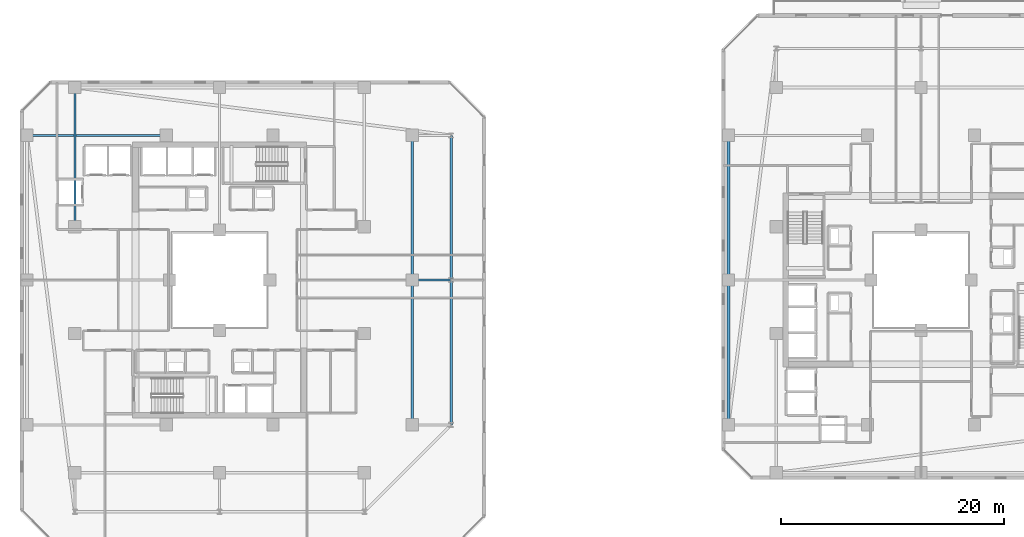
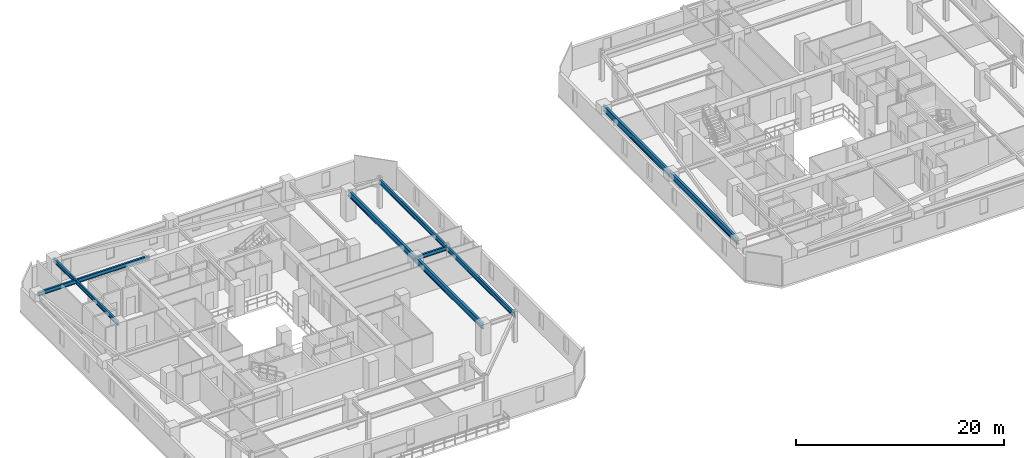
# One storey, part 7 of 33: 9 beams.
"""IFC4 building model written with IfcOpenShell, lengths in metres."""

from ifc_helpers import new_model, si_unit, direction, frame, origin, origin_2d, place, context, subcontext, project, spatial, i_section, extrude, material, material_profile, profile_set, type_object, element, save


model = new_model("IFC4")

# Units and contexts
model_context = context("Model", 3, precision=1e-05, world=origin(), true_north=direction((0.0, 1.0)))
body_context = subcontext(model_context, "Body", "Model", "MODEL_VIEW")
ifc_project = project(units=[si_unit("LENGTHUNIT", "METRE"), si_unit("AREAUNIT", "SQUARE_METRE"), si_unit("VOLUMEUNIT", "CUBIC_METRE"), si_unit("PLANEANGLEUNIT", "RADIAN"), si_unit("MASSUNIT", "GRAM", prefix="KILO")], contexts=[model_context])

# Site, building, storey
site_placement = place(None, origin())
site = spatial("IfcSite", under=ifc_project, at=site_placement, CompositionType="ELEMENT")
building_placement = place(site_placement, origin())
building = spatial("IfcBuilding", under=site, at=building_placement, Name="Thornwick Lancets Civic Towers", CompositionType="ELEMENT")
storey_placement = place(building_placement, frame((0.0, 0.0, 163.5)))
storey = spatial("IfcBuildingStorey", under=building, at=storey_placement, Name="L43", CompositionType="ELEMENT", Elevation=163.5)

# Beams
ifc_material = material(Name="Steel S355JR", Category="steel")
ifc_material_profile_1 = material_profile(ifc_material, i_section(OverallWidth=0.210693359375, OverallDepth=0.53955078125, WebThickness=0.01171875, FlangeThickness=0.018798828125, FilletRadius=0.0126953125, at=origin_2d()), Name="UKB 533x210x109")
ifc_profile_set_1 = profile_set([ifc_material_profile_1], Name="Steel S355JR")
beam_type_1 = type_object("IfcBeamType", Name="BM_EDGE_533_109", PredefinedType="SPANDREL", material=ifc_profile_set_1)
beam_1_placement = place(storey_placement, frame((46.300048828125, 14.0, 3.09033203125), z_axis=(0.0, 1.0, 0.0), x_axis=(-1.0, 0.0, 0.0)))
element("IfcBeam", 1, at=beam_1_placement, inside=storey, type_object=beam_type_1, Name="BM-EDGE-L43-A-S1-1", PredefinedType="SPANDREL", context=body_context, shape_type="SweptSolid", body=[
    extrude(i_section(OverallWidth=0.210693359375, OverallDepth=0.53955078125, WebThickness=0.01171875, FlangeThickness=0.018798828125, FilletRadius=0.0126953125, at=origin_2d()), origin(), (0.0, 0.0, 1.0), 13.0),
])
beam_2_placement = place(storey_placement, frame((46.300048828125, 27.080078125, 3.09033203125), z_axis=(0.0, 1.0, 0.0), x_axis=(-1.0, 0.0, 0.0)))
element("IfcBeam", 2, at=beam_2_placement, inside=storey, type_object=beam_type_1, Name="BM-EDGE-L43-A-S1-2", PredefinedType="SPANDREL", context=body_context, shape_type="SweptSolid", body=[
    extrude(i_section(OverallWidth=0.210693359375, OverallDepth=0.53955078125, WebThickness=0.01171875, FlangeThickness=0.018798828125, FilletRadius=0.0126953125, at=origin_2d()), origin(), (0.0, 0.0, 1.0), 12.919921875),
])
ifc_material_profile_2 = material_profile(ifc_material, i_section(OverallWidth=0.255859375, OverallDepth=0.69287109375, WebThickness=0.014404296875, FlangeThickness=0.023681640625, FilletRadius=0.01513671875, at=origin_2d()), Name="UKB 686x254x170")
ifc_profile_set_2 = profile_set([ifc_material_profile_2], Name="Steel S355JR")
beam_type_2 = type_object("IfcBeamType", Name="BM_GIRD_686_170", PredefinedType="BEAM", material=ifc_profile_set_2)
beam_3_placement = place(storey_placement, frame((42.800048828125, 14.0, 3.013671875), z_axis=(0.0, 1.0, 0.0), x_axis=(-1.0, 0.0, 0.0)))
element("IfcBeam", 3, at=beam_3_placement, inside=storey, type_object=beam_type_2, Name="BM-SPINE-L43-A-3-4", PredefinedType="BEAM", context=body_context, shape_type="SweptSolid", body=[
    extrude(i_section(OverallWidth=0.255859375, OverallDepth=0.69287109375, WebThickness=0.014404296875, FlangeThickness=0.023681640625, FilletRadius=0.01513671875, at=origin_2d()), origin(), (0.0, 0.0, 1.0), 13.0),
])
beam_4_placement = place(storey_placement, frame((42.800048828125, 27.080078125, 3.013671875), z_axis=(0.0, 1.0, 0.0), x_axis=(-1.0, 0.0, 0.0)))
element("IfcBeam", 4, at=beam_4_placement, inside=storey, type_object=beam_type_2, Name="BM-SPINE-L43-A-4-5", PredefinedType="BEAM", context=body_context, shape_type="SweptSolid", body=[
    extrude(i_section(OverallWidth=0.255859375, OverallDepth=0.69287109375, WebThickness=0.014404296875, FlangeThickness=0.023681640625, FilletRadius=0.01513671875, at=origin_2d()), origin(), (0.0, 0.0, 1.0), 12.919921875),
])
beam_5_placement = place(storey_placement, frame((71.199951171875, 14.0, 3.013671875), z_axis=(0.0, 1.0, 0.0), x_axis=(-1.0, 0.0, 0.0)))
element("IfcBeam", 5, at=beam_5_placement, inside=storey, type_object=beam_type_2, Name="BM-SPINE-L43-B-6-7", PredefinedType="BEAM", context=body_context, shape_type="SweptSolid", body=[
    extrude(i_section(OverallWidth=0.255859375, OverallDepth=0.69287109375, WebThickness=0.014404296875, FlangeThickness=0.023681640625, FilletRadius=0.01513671875, at=origin_2d()), origin(), (0.0, 0.0, 1.0), 13.0),
])
beam_6_placement = place(storey_placement, frame((71.199951171875, 27.080078125, 3.013671875), z_axis=(0.0, 1.0, 0.0), x_axis=(-1.0, 0.0, 0.0)))
element("IfcBeam", 6, at=beam_6_placement, inside=storey, type_object=beam_type_2, Name="BM-SPINE-L43-B-7-8", PredefinedType="BEAM", context=body_context, shape_type="SweptSolid", body=[
    extrude(i_section(OverallWidth=0.255859375, OverallDepth=0.69287109375, WebThickness=0.014404296875, FlangeThickness=0.023681640625, FilletRadius=0.01513671875, at=origin_2d()), origin(), (0.0, 0.0, 1.0), 12.919921875),
])
ifc_material_profile_3 = material_profile(ifc_material, i_section(OverallWidth=0.19287109375, OverallDepth=0.46728515625, WebThickness=0.011474609375, FlangeThickness=0.01953125, FilletRadius=0.01025390625, at=origin_2d()), Name="UKB 457x191x98")
ifc_profile_set_3 = profile_set([ifc_material_profile_3], Name="Steel S355JR")
beam_type_3 = type_object("IfcBeamType", Name="BM_JOIST_457_98", PredefinedType="JOIST", material=ifc_profile_set_3)
beam_7_placement = place(storey_placement, frame((42.800048828125, 27.0, 3.12646484375), z_axis=(1.0, 0.0, 0.0), x_axis=(0.0, 1.0, 0.0)))
element("IfcBeam", 7, at=beam_7_placement, inside=storey, type_object=beam_type_3, Name="BM-RAD-L43-A05", PredefinedType="JOIST", context=body_context, shape_type="SweptSolid", body=[
    extrude(i_section(OverallWidth=0.19287109375, OverallDepth=0.46728515625, WebThickness=0.011474609375, FlangeThickness=0.01953125, FilletRadius=0.01025390625, at=origin_2d()), origin(), (0.0, 0.0, 1.0), 3.5),
])
for number, where, z_axis, x_axis, name in (
    (8, (12.5, 31.800048828125, 3.12646484375), (0.0, 1.0, 0.0), (-1.0, 0.0, 0.0), "BM-RADIN-L43-A07"),
    (9, (20.699951171875, 40.0, 3.12646484375), (-1.0, 0.0, 0.0), (0.0, -1.0, 0.0), "BM-RADIN-L43-A12"),
):
    element("IfcBeam", number, at=place(storey_placement, frame(where, z_axis=z_axis, x_axis=x_axis)), inside=storey, type_object=beam_type_3, Name=name, PredefinedType="JOIST", context=body_context, shape_type="SweptSolid", body=[
        extrude(i_section(OverallWidth=0.19287109375, OverallDepth=0.46728515625, WebThickness=0.011474609375, FlangeThickness=0.01953125, FilletRadius=0.01025390625, at=origin_2d()), origin(), (0.0, 0.0, 1.0), 12.5),
    ])

save(model, "model.ifc")
